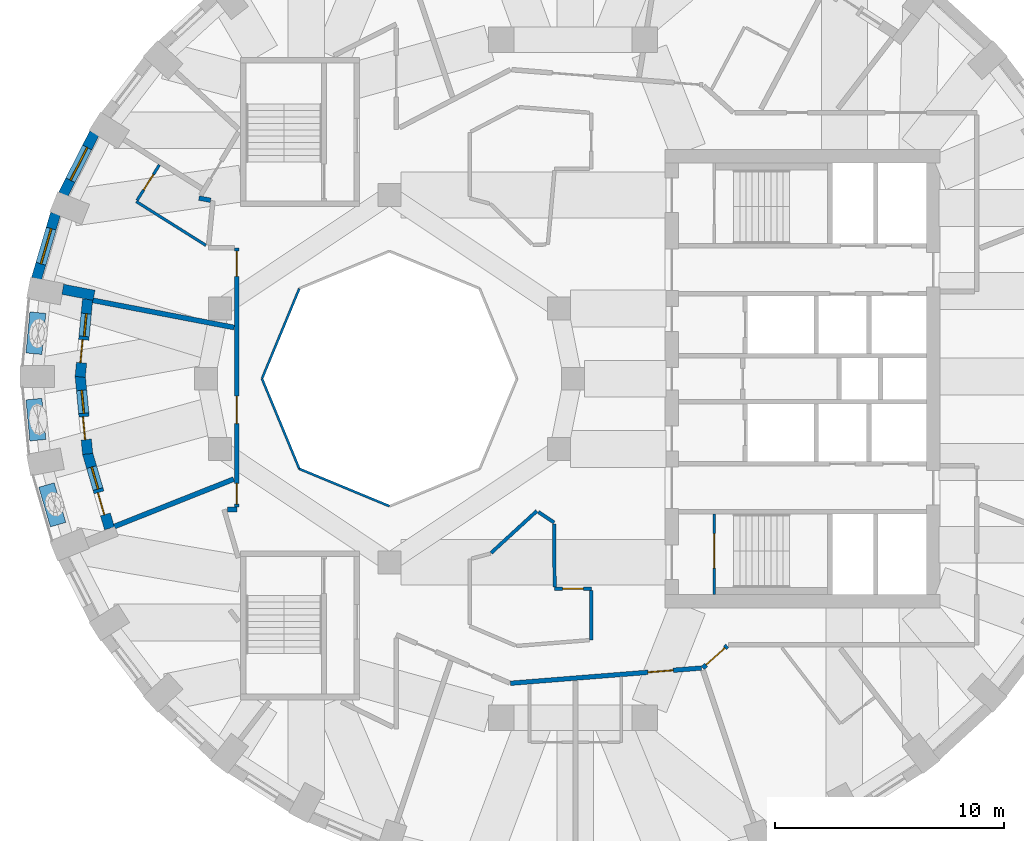
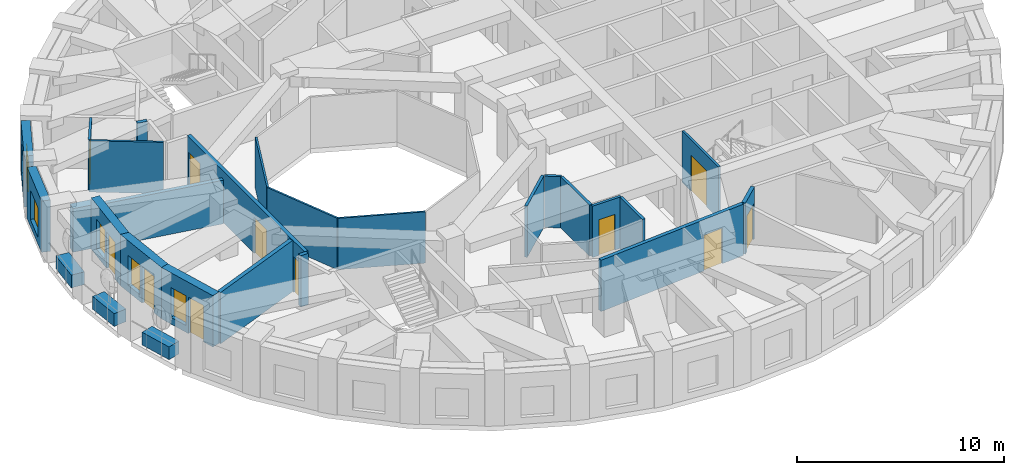
# One storey, part 4 of 12: 27 walls, 11 doors, 5 windows, 16 openings.
"""IFC4 building model written with IfcOpenShell, lengths in metres."""

from ifc_helpers import new_model, si_unit, direction, frame, frame_2d, origin, place, context, subcontext, project, spatial, rectangle, extrude, material, layer, layer_set, constituent, constituent_set, type_object, element, fill, save


model = new_model("IFC4")

# Units and contexts
model_context = context("Model", 3, precision=1e-05, world=origin(), true_north=direction((0.0, 1.0)))
body_context = subcontext(model_context, "Body", "Model", "MODEL_VIEW")
ifc_project = project(units=[si_unit("LENGTHUNIT", "METRE"), si_unit("AREAUNIT", "SQUARE_METRE"), si_unit("VOLUMEUNIT", "CUBIC_METRE"), si_unit("PLANEANGLEUNIT", "RADIAN"), si_unit("MASSUNIT", "GRAM", prefix="KILO")], contexts=[model_context])

# Site, building, storey
site_placement = place(None, origin())
site = spatial("IfcSite", under=ifc_project, at=site_placement, CompositionType="ELEMENT")
building_placement = place(site_placement, origin())
building = spatial("IfcBuilding", under=site, at=building_placement, Name="Taillehof Tower", CompositionType="ELEMENT")
storey_placement = place(building_placement, frame((0.0, 0.0, 148.39990234375)))
storey = spatial("IfcBuildingStorey", under=building, at=storey_placement, Name="L41", CompositionType="ELEMENT", Elevation=148.39990234375)

# Walls
ifc_material_1 = material(Name="Fire-resisting glass in steel frame", Category="steel")
ifc_layer_1 = layer(ifc_material_1, 0.10009765625)
ifc_layer_set_1 = layer_set([ifc_layer_1], Name="Atrium fire-resisting screen EI 60 100")
wall_type_1 = type_object("IfcWallType", Name="Atrium fire-resisting screen EI 60 100", PredefinedType="PARTITIONING", material=ifc_layer_set_1)
for number, where, z_axis, x_axis, name in (
    (1, (-8.0, -5.55419921875, 0.0), (0.0, 0.0, 1.0), (-0.923860025149, 0.382730523909, 0.0), "Atrium screen"),
    (2, (-11.92724609375, -3.92724609375, 0.0), (0.0, 0.0, 1.0), (-0.382730523909, 0.923860025149, 0.0), "Atrium screen"),
    (3, (-13.55419921875, 0.0, 0.0), (0.0, 0.0, 1.0), (0.382730523909, 0.923860025149, 0.0), "Atrium screen"),
):
    element("IfcWall", number, at=place(storey_placement, frame(where, z_axis=z_axis, x_axis=x_axis)), inside=storey, type_object=wall_type_1, Name=name, PredefinedType="PARTITIONING", context=body_context, shape_type="SweptSolid", body=[
        extrude(rectangle(XDim=4.2509765625, YDim=0.10009765625, at=frame_2d((2.12548828125, 0.0))), origin(), (0.0, 0.0, 1.0), 3.02001953125),
    ])

# Wall, opening, window
ifc_material_2 = material(Name="Brick masonry", Category="masonry")
ifc_layer_2 = layer(ifc_material_2, 0.449951171875)
ifc_layer_set_2 = layer_set([ifc_layer_2], Name="Brick infill wall 450")
wall_type_2 = type_object("IfcWallType", Name="Brick infill wall 450", PredefinedType="SOLIDWALL", material=ifc_layer_set_2)
wall_1_placement = place(storey_placement, frame((-20.859375, 10.697021484375, 0.0), z_axis=(0.0, 0.0, 1.0), x_axis=(-0.454133999889, -0.890933392653, 0.0)))
wall_1 = element("IfcWall", 4, at=wall_1_placement, inside=storey, type_object=wall_type_2, Name="Brick wall L41 bay 16", PredefinedType="SOLIDWALL", context=body_context, shape_type="SweptSolid", body=[
    extrude(rectangle(XDim=2.98583984375, YDim=0.449951171875, at=frame_2d((1.492919921875, 0.0))), origin(), (0.0, 0.0, 1.0), 3.02001953125),
])
opening_1_placement = place(wall_1_placement, frame((0.69287109375, 0.0, 0.39990234375)))
opening_1 = element("IfcOpeningElement", 5, at=opening_1_placement, cuts=wall_1, Name="Opening W3", PredefinedType="OPENING", context=body_context, shape_type="SweptSolid", body=[
    extrude(rectangle(XDim=1.60009765625, YDim=1.75, at=frame_2d((0.800048828125, 0.875))), frame((0.0, 0.23486328125, 0.0), z_axis=(0.0, -1.0, 0.0), x_axis=(1.0, 0.0, 0.0)), (0.0, 0.0, 1.0), 0.469970703125),
])
ifc_material_3 = material(Name="Aluminium window frame with clear double glazing", Category="aluminium")
window_type_1 = type_object("IfcWindowType", Name="Deep-set window 1600x1750", PartitioningType="SINGLE_PANEL", PredefinedType="WINDOW", material=ifc_material_3)
window_1_placement = place(opening_1_placement, origin())
window_1 = element("IfcWindow", 6, at=window_1_placement, inside=storey, type_object=window_type_1, Name="W3", OverallHeight=1.75, OverallWidth=1.60009765625, PartitioningType="SINGLE_PANEL", PredefinedType="WINDOW", context=body_context, shape_type="SweptSolid", body=[
    extrude(rectangle(XDim=1.60009765625, YDim=1.75, at=frame_2d((0.800048828125, 0.875))), frame((0.0, 0.034912109375, 0.0), z_axis=(0.0, -1.0, 0.0), x_axis=(1.0, 0.0, 0.0)), (0.0, 0.0, 1.0), 0.06005859375),
])
fill(opening_1, window_1)

wall_2_placement = place(storey_placement, frame((-22.55126953125, 7.19091796875, 0.0), z_axis=(0.0, 0.0, 1.0), x_axis=(-0.281125768296, -0.959670934435, 0.0)))
wall_2 = element("IfcWall", 7, at=wall_2_placement, inside=storey, type_object=wall_type_2, Name="Brick wall L41 bay 17", PredefinedType="SOLIDWALL", context=body_context, shape_type="SweptSolid", body=[
    extrude(rectangle(XDim=2.947509765625, YDim=0.449951171875, at=frame_2d((1.4736328125, 0.0))), origin(), (0.0, 0.0, 1.0), 3.02001953125),
])
opening_2_placement = place(wall_2_placement, frame((0.673583984375, 0.0, 0.39990234375)))
opening_2 = element("IfcOpeningElement", 8, at=opening_2_placement, cuts=wall_2, Name="Opening W3", PredefinedType="OPENING", context=body_context, shape_type="SweptSolid", body=[
    extrude(rectangle(XDim=1.60009765625, YDim=1.75, at=frame_2d((0.800048828125, 0.875))), frame((0.0, 0.23486328125, 0.0), z_axis=(0.0, -1.0, 0.0), x_axis=(1.0, 0.0, 0.0)), (0.0, 0.0, 1.0), 0.469970703125),
])
window_2_placement = place(opening_2_placement, origin())
window_2 = element("IfcWindow", 9, at=window_2_placement, inside=storey, type_object=window_type_1, Name="W3", OverallHeight=1.75, OverallWidth=1.60009765625, PartitioningType="SINGLE_PANEL", PredefinedType="WINDOW", context=body_context, shape_type="SweptSolid", body=[
    extrude(rectangle(XDim=1.60009765625, YDim=1.75, at=frame_2d((0.800048828125, 0.875))), frame((0.0, 0.034912109375, 0.0), z_axis=(0.0, -1.0, 0.0), x_axis=(1.0, 0.0, 0.0)), (0.0, 0.0, 1.0), 0.06005859375),
])
fill(opening_2, window_2)

# Wall
wall_3_placement = place(storey_placement, frame((-22.236572265625, 3.896484375, 0.0), z_axis=(0.0, 0.0, 1.0), x_axis=(0.98204526411, -0.188645432598, 0.0)))
element("IfcWall", 10, at=wall_3_placement, inside=storey, type_object=wall_type_2, Name="Brick reveal L41 pocket 5", PredefinedType="SOLIDWALL", context=body_context, shape_type="SweptSolid", body=[
    extrude(rectangle(XDim=1.389892578125, YDim=0.449951171875, at=frame_2d((0.69482421875, 0.0))), origin(), (0.0, 0.0, 1.0), 2.570068359375),
])

# Wall, openings, door, window
wall_4_placement = place(storey_placement, frame((-21.153564453125, 3.459228515625, 0.0), z_axis=(0.0, 0.0, 1.0), x_axis=(-0.094968544931, -0.995480273774, 0.0)))
wall_4 = element("IfcWall", 11, at=wall_4_placement, inside=storey, type_object=wall_type_2, Name="Brick wall L41 pocket bay 18", PredefinedType="SOLIDWALL", context=body_context, shape_type="SweptSolid", body=[
    extrude(rectangle(XDim=3.39599609375, YDim=0.449951171875, at=frame_2d((1.697998046875, 0.0))), origin(), (0.0, 0.0, 1.0), 3.02001953125),
])
opening_3_placement = place(wall_4_placement, frame((0.623046875, 0.0, 0.39990234375)))
opening_3 = element("IfcOpeningElement", 12, at=opening_3_placement, cuts=wall_4, Name="Opening W5", PredefinedType="OPENING", context=body_context, shape_type="SweptSolid", body=[
    extrude(rectangle(XDim=1.0, YDim=1.75, at=frame_2d((0.5, 0.875))), frame((0.0, 0.23486328125, 0.0), z_axis=(0.0, -1.0, 0.0), x_axis=(1.0, 0.0, 0.0)), (0.0, 0.0, 1.0), 0.469970703125),
])
opening_4_placement = place(wall_4_placement, frame((1.77294921875, 0.0, 0.0)))
opening_4 = element("IfcOpeningElement", 13, at=opening_4_placement, cuts=wall_4, Name="Opening D4191", PredefinedType="OPENING", context=body_context, shape_type="SweptSolid", body=[
    extrude(rectangle(XDim=1.0, YDim=2.14990234375, at=frame_2d((0.5, 1.074951171875))), frame((0.0, 0.23486328125, 0.0), z_axis=(0.0, -1.0, 0.0), x_axis=(1.0, 0.0, 0.0)), (0.0, 0.0, 1.0), 0.469970703125),
])
ifc_material_4 = material(Name="Aluminium door frame with clear double glazing", Category="aluminium")
door_type_1 = type_object("IfcDoorType", Name="Balcony door 1000x2150", OperationType="SINGLE_SWING_RIGHT", PredefinedType="DOOR", material=ifc_material_4)
door_1_placement = place(opening_4_placement, frame((1.0, 0.0, 0.0), z_axis=(0.0, 0.0, 1.0), x_axis=(-1.0, 0.0, 0.0)))
door_1 = element("IfcDoor", 14, at=door_1_placement, inside=storey, type_object=door_type_1, Name="Balcony door L41 bay 18", OperationType="SINGLE_SWING_RIGHT", OverallHeight=2.14990234375, OverallWidth=1.0, PredefinedType="DOOR", context=body_context, shape_type="SweptSolid", body=[
    extrude(rectangle(XDim=1.0, YDim=2.14990234375, at=frame_2d((0.5, 1.074951171875))), frame((0.0, 0.0751953125, 0.0), z_axis=(0.0, -1.0, 0.0), x_axis=(1.0, 0.0, 0.0)), (0.0, 0.0, 1.0), 0.050048828125),
])
fill(opening_4, door_1)
ifc_material_5 = material(Name="Aluminium window frame with clear double glazing", Category="aluminium")
window_type_2 = type_object("IfcWindowType", Name="Fixed window 1000x1750", PartitioningType="SINGLE_PANEL", PredefinedType="WINDOW", material=ifc_material_5)
window_3_placement = place(opening_3_placement, origin())
window_3 = element("IfcWindow", 15, at=window_3_placement, inside=storey, type_object=window_type_2, Name="W5", OverallHeight=1.75, OverallWidth=1.0, PartitioningType="SINGLE_PANEL", PredefinedType="WINDOW", context=body_context, shape_type="SweptSolid", body=[
    extrude(rectangle(XDim=1.0, YDim=1.75, at=frame_2d((0.5, 0.875))), frame((0.0, 0.034912109375, 0.0), z_axis=(0.0, -1.0, 0.0), x_axis=(1.0, 0.0, 0.0)), (0.0, 0.0, 1.0), 0.06005859375),
])
fill(opening_3, window_3)

wall_5_placement = place(storey_placement, frame((-21.47607421875, 0.121337890625, 0.0), z_axis=(0.0, 0.0, 1.0), x_axis=(0.094947321258, -0.995482298279, 0.0)))
wall_5 = element("IfcWall", 16, at=wall_5_placement, inside=storey, type_object=wall_type_2, Name="Brick wall L41 pocket bay 19", PredefinedType="SOLIDWALL", context=body_context, shape_type="SweptSolid", body=[
    extrude(rectangle(XDim=3.417236328125, YDim=0.449951171875, at=frame_2d((1.70849609375, 0.0))), origin(), (0.0, 0.0, 1.0), 3.02001953125),
])
opening_5_placement = place(wall_5_placement, frame((0.6337890625, 0.0, 0.39990234375)))
opening_5 = element("IfcOpeningElement", 17, at=opening_5_placement, cuts=wall_5, Name="Opening W5", PredefinedType="OPENING", context=body_context, shape_type="SweptSolid", body=[
    extrude(rectangle(XDim=1.0, YDim=1.75, at=frame_2d((0.5, 0.875))), frame((0.0, 0.23486328125, 0.0), z_axis=(0.0, -1.0, 0.0), x_axis=(1.0, 0.0, 0.0)), (0.0, 0.0, 1.0), 0.469970703125),
])
opening_6_placement = place(wall_5_placement, frame((1.78369140625, 0.0, 0.0)))
opening_6 = element("IfcOpeningElement", 18, at=opening_6_placement, cuts=wall_5, Name="Opening D4192", PredefinedType="OPENING", context=body_context, shape_type="SweptSolid", body=[
    extrude(rectangle(XDim=1.0, YDim=2.14990234375, at=frame_2d((0.5, 1.074951171875))), frame((0.0, 0.23486328125, 0.0), z_axis=(0.0, -1.0, 0.0), x_axis=(1.0, 0.0, 0.0)), (0.0, 0.0, 1.0), 0.469970703125),
])
door_2_placement = place(opening_6_placement, frame((1.0, 0.0, 0.0), z_axis=(0.0, 0.0, 1.0), x_axis=(-1.0, 0.0, 0.0)))
door_2 = element("IfcDoor", 19, at=door_2_placement, inside=storey, type_object=door_type_1, Name="Balcony door L41 bay 19", OperationType="SINGLE_SWING_LEFT", OverallHeight=2.14990234375, OverallWidth=1.0, PredefinedType="DOOR", context=body_context, shape_type="SweptSolid", body=[
    extrude(rectangle(XDim=1.0, YDim=2.14990234375, at=frame_2d((0.5, 1.074951171875))), frame((0.0, 0.0751953125, 0.0), z_axis=(0.0, -1.0, 0.0), x_axis=(1.0, 0.0, 0.0)), (0.0, 0.0, 1.0), 0.050048828125),
])
fill(opening_6, door_2)
window_4_placement = place(opening_5_placement, origin())
window_4 = element("IfcWindow", 20, at=window_4_placement, inside=storey, type_object=window_type_2, Name="W5", OverallHeight=1.75, OverallWidth=1.0, PartitioningType="SINGLE_PANEL", PredefinedType="WINDOW", context=body_context, shape_type="SweptSolid", body=[
    extrude(rectangle(XDim=1.0, YDim=1.75, at=frame_2d((0.5, 0.875))), frame((0.0, 0.034912109375, 0.0), z_axis=(0.0, -1.0, 0.0), x_axis=(1.0, 0.0, 0.0)), (0.0, 0.0, 1.0), 0.06005859375),
])
fill(opening_5, window_4)

wall_6_placement = place(storey_placement, frame((-21.159423828125, -3.23876953125, 0.0), z_axis=(0.0, 0.0, 1.0), x_axis=(0.280377942886, -0.959889685924, 0.0)))
wall_6 = element("IfcWall", 21, at=wall_6_placement, inside=storey, type_object=wall_type_2, Name="Brick wall L41 pocket bay 20", PredefinedType="SOLIDWALL", context=body_context, shape_type="SweptSolid", body=[
    extrude(rectangle(XDim=3.4228515625, YDim=0.449951171875, at=frame_2d((1.71142578125, 0.0))), origin(), (0.0, 0.0, 1.0), 3.02001953125),
])
opening_7_placement = place(wall_6_placement, frame((0.636474609375, 0.0, 0.39990234375)))
opening_7 = element("IfcOpeningElement", 22, at=opening_7_placement, cuts=wall_6, Name="Opening W5", PredefinedType="OPENING", context=body_context, shape_type="SweptSolid", body=[
    extrude(rectangle(XDim=1.0, YDim=1.75, at=frame_2d((0.5, 0.875))), frame((0.0, 0.23486328125, 0.0), z_axis=(0.0, -1.0, 0.0), x_axis=(1.0, 0.0, 0.0)), (0.0, 0.0, 1.0), 0.469970703125),
])
opening_8_placement = place(wall_6_placement, frame((1.786376953125, 0.0, 0.0)))
opening_8 = element("IfcOpeningElement", 23, at=opening_8_placement, cuts=wall_6, Name="Opening D4193", PredefinedType="OPENING", context=body_context, shape_type="SweptSolid", body=[
    extrude(rectangle(XDim=1.0, YDim=2.14990234375, at=frame_2d((0.5, 1.074951171875))), frame((0.0, 0.23486328125, 0.0), z_axis=(0.0, -1.0, 0.0), x_axis=(1.0, 0.0, 0.0)), (0.0, 0.0, 1.0), 0.469970703125),
])
door_3_placement = place(opening_8_placement, frame((1.0, 0.0, 0.0), z_axis=(0.0, 0.0, 1.0), x_axis=(-1.0, 0.0, 0.0)))
door_3 = element("IfcDoor", 24, at=door_3_placement, inside=storey, type_object=door_type_1, Name="Balcony door L41 bay 20", OperationType="SINGLE_SWING_LEFT", OverallHeight=2.14990234375, OverallWidth=1.0, PredefinedType="DOOR", context=body_context, shape_type="SweptSolid", body=[
    extrude(rectangle(XDim=1.0, YDim=2.14990234375, at=frame_2d((0.5, 1.074951171875))), frame((0.0, 0.0751953125, 0.0), z_axis=(0.0, -1.0, 0.0), x_axis=(1.0, 0.0, 0.0)), (0.0, 0.0, 1.0), 0.050048828125),
])
fill(opening_8, door_3)
window_5_placement = place(opening_7_placement, origin())
window_5 = element("IfcWindow", 25, at=window_5_placement, inside=storey, type_object=window_type_2, Name="W5", OverallHeight=1.75, OverallWidth=1.0, PartitioningType="SINGLE_PANEL", PredefinedType="WINDOW", context=body_context, shape_type="SweptSolid", body=[
    extrude(rectangle(XDim=1.0, YDim=1.75, at=frame_2d((0.5, 0.875))), frame((0.0, 0.034912109375, 0.0), z_axis=(0.0, -1.0, 0.0), x_axis=(1.0, 0.0, 0.0)), (0.0, 0.0, 1.0), 0.06005859375),
])
fill(opening_7, window_5)

# Wall, opening, door
ifc_material_6 = material(Name="Gypsum board on steel studs, two layers each side", Category="steel")
ifc_layer_3 = layer(ifc_material_6, 0.199951171875)
ifc_layer_set_3 = layer_set([ifc_layer_3], Name="Compartment wall corridor 200")
wall_type_3 = type_object("IfcWallType", Name="Compartment wall corridor 200", PredefinedType="PARTITIONING", material=ifc_layer_set_3)
wall_7_placement = place(storey_placement, frame((6.722900390625, -11.640380859375, 0.0), z_axis=(0.0, 0.0, 1.0), x_axis=(-0.743032656565, -0.669255161562, 0.0)))
wall_7 = element("IfcWall", 26, at=wall_7_placement, inside=storey, type_object=wall_type_3, Name="Compartment wall", PredefinedType="PARTITIONING", context=body_context, shape_type="SweptSolid", body=[
    extrude(rectangle(XDim=1.439453125, YDim=0.199951171875, at=frame_2d((0.7197265625, 0.0))), origin(), (0.0, 0.0, 1.0), 3.02001953125),
])
opening_9_placement = place(wall_7_placement, frame((0.139892578125, 0.0, 0.0)))
opening_9 = element("IfcOpeningElement", 27, at=opening_9_placement, cuts=wall_7, Name="Opening D4155", PredefinedType="OPENING", context=body_context, shape_type="SweptSolid", body=[
    extrude(rectangle(XDim=1.10009765625, YDim=2.10009765625, at=frame_2d((0.550048828125, 1.050048828125))), frame((0.0, 0.10986328125, 0.0), z_axis=(0.0, -1.0, 0.0), x_axis=(1.0, 0.0, 0.0)), (0.0, 0.0, 1.0), 0.219970703125),
])
ifc_material_7 = material(Name="Timber door leaf in steel frame", Category="steel")
door_type_2 = type_object("IfcDoorType", Name="Suite entrance door EI 30 1100 x 2100", OperationType="SINGLE_SWING_LEFT", PredefinedType="DOOR", material=ifc_material_7)
door_4_placement = place(opening_9_placement, origin())
door_4 = element("IfcDoor", 28, at=door_4_placement, inside=storey, type_object=door_type_2, Name="D4155", OperationType="SINGLE_SWING_RIGHT", OverallHeight=2.10009765625, OverallWidth=1.10009765625, PredefinedType="DOOR", context=body_context, shape_type="SweptSolid", body=[
    extrude(rectangle(XDim=1.10009765625, YDim=2.10009765625, at=frame_2d((0.550048828125, 1.050048828125))), frame((0.0, 0.02490234375, 0.0), z_axis=(0.0, -1.0, 0.0), x_axis=(1.0, 0.0, 0.0)), (0.0, 0.0, 1.0), 0.050048828125),
])
fill(opening_9, door_4)

wall_8_placement = place(storey_placement, frame((5.59326171875, -12.60888671875, 0.0), z_axis=(0.0, 0.0, 1.0), x_axis=(-0.99682930336, -0.079569717626, 0.0)))
wall_8 = element("IfcWall", 29, at=wall_8_placement, inside=storey, type_object=wall_type_3, Name="Compartment wall", PredefinedType="PARTITIONING", context=body_context, shape_type="SweptSolid", body=[
    extrude(rectangle(XDim=8.3486328125, YDim=0.199951171875, at=frame_2d((4.17431640625, 0.0))), origin(), (0.0, 0.0, 1.0), 3.02001953125),
])
opening_10_placement = place(wall_8_placement, frame((1.232177734375, 0.0, 0.0)))
opening_10 = element("IfcOpeningElement", 30, at=opening_10_placement, cuts=wall_8, Name="Opening D4153", PredefinedType="OPENING", context=body_context, shape_type="SweptSolid", body=[
    extrude(rectangle(XDim=1.10009765625, YDim=2.10009765625, at=frame_2d((0.550048828125, 1.050048828125))), frame((0.0, 0.10986328125, 0.0), z_axis=(0.0, -1.0, 0.0), x_axis=(1.0, 0.0, 0.0)), (0.0, 0.0, 1.0), 0.219970703125),
])
door_5_placement = place(opening_10_placement, origin())
door_5 = element("IfcDoor", 31, at=door_5_placement, inside=storey, type_object=door_type_2, Name="D4153", OperationType="SINGLE_SWING_RIGHT", OverallHeight=2.10009765625, OverallWidth=1.10009765625, PredefinedType="DOOR", context=body_context, shape_type="SweptSolid", body=[
    extrude(rectangle(XDim=1.10009765625, YDim=2.10009765625, at=frame_2d((0.550048828125, 1.050048828125))), frame((0.0, 0.02490234375, 0.0), z_axis=(0.0, -1.0, 0.0), x_axis=(1.0, 0.0, 0.0)), (0.0, 0.0, 1.0), 0.050048828125),
])
fill(opening_10, door_5)

# Wall
wall_9_placement = place(storey_placement, frame((-15.0654296875, -5.699951171875, 0.0), z_axis=(0.0, 0.0, 1.0), x_axis=(1.0, 0.0, 0.0)))
element("IfcWall", 32, at=wall_9_placement, inside=storey, type_object=wall_type_3, Name="Compartment wall", PredefinedType="PARTITIONING", context=body_context, shape_type="SweptSolid", body=[
    extrude(rectangle(XDim=0.418701171875, YDim=0.199951171875, at=frame_2d((0.20947265625, 0.0))), origin(), (0.0, 0.0, 1.0), 3.02001953125),
])

# Wall, openings, doors
wall_10_placement = place(storey_placement, frame((-14.646728515625, -5.599853515625, 0.0), z_axis=(0.0, 0.0, 1.0), x_axis=(0.0, 1.0, 0.0)))
wall_10 = element("IfcWall", 33, at=wall_10_placement, inside=storey, type_object=wall_type_3, Name="Compartment wall", PredefinedType="PARTITIONING", context=body_context, shape_type="SweptSolid", body=[
    extrude(rectangle(XDim=11.2998046875, YDim=0.199951171875, at=frame_2d((5.64990234375, 0.0))), origin(), (0.0, 0.0, 1.0), 3.02001953125),
])
opening_11_placement = place(wall_10_placement, frame((10.059814453125, 0.0, 0.0)))
opening_11 = element("IfcOpeningElement", 34, at=opening_11_placement, cuts=wall_10, Name="Opening D4146", PredefinedType="OPENING", context=body_context, shape_type="SweptSolid", body=[
    extrude(rectangle(XDim=1.10009765625, YDim=2.10009765625, at=frame_2d((0.550048828125, 1.050048828125))), frame((0.0, 0.10986328125, 0.0), z_axis=(0.0, -1.0, 0.0), x_axis=(1.0, 0.0, 0.0)), (0.0, 0.0, 1.0), 0.219970703125),
])
opening_12_placement = place(wall_10_placement, frame((3.638916015625, 0.0, 0.0)))
opening_12 = element("IfcOpeningElement", 35, at=opening_12_placement, cuts=wall_10, Name="Opening D4148", PredefinedType="OPENING", context=body_context, shape_type="SweptSolid", body=[
    extrude(rectangle(XDim=1.199951171875, YDim=2.10009765625, at=frame_2d((0.60009765625, 1.050048828125))), frame((0.0, 0.10986328125, 0.0), z_axis=(0.0, -1.0, 0.0), x_axis=(1.0, 0.0, 0.0)), (0.0, 0.0, 1.0), 0.219970703125),
])
opening_13_placement = place(wall_10_placement, frame((0.139892578125, 0.0, 0.0)))
opening_13 = element("IfcOpeningElement", 36, at=opening_13_placement, cuts=wall_10, Name="Opening D4149", PredefinedType="OPENING", context=body_context, shape_type="SweptSolid", body=[
    extrude(rectangle(XDim=0.89990234375, YDim=2.10009765625, at=frame_2d((0.449951171875, 1.050048828125))), frame((0.0, 0.10986328125, 0.0), z_axis=(0.0, -1.0, 0.0), x_axis=(1.0, 0.0, 0.0)), (0.0, 0.0, 1.0), 0.219970703125),
])
ifc_material_8 = material(Name="Timber door leaf in steel frame", Category="steel")
door_type_3 = type_object("IfcDoorType", Name="Service room door EI 30 900 x 2100", OperationType="SINGLE_SWING_LEFT", PredefinedType="DOOR", material=ifc_material_8)
door_6_placement = place(opening_13_placement, origin())
door_6 = element("IfcDoor", 37, at=door_6_placement, inside=storey, type_object=door_type_3, Name="D4149", OperationType="SINGLE_SWING_LEFT", OverallHeight=2.10009765625, OverallWidth=0.89990234375, PredefinedType="DOOR", context=body_context, shape_type="SweptSolid", body=[
    extrude(rectangle(XDim=0.89990234375, YDim=2.10009765625, at=frame_2d((0.449951171875, 1.050048828125))), frame((0.0, 0.02490234375, 0.0), z_axis=(0.0, -1.0, 0.0), x_axis=(1.0, 0.0, 0.0)), (0.0, 0.0, 1.0), 0.050048828125),
])
fill(opening_13, door_6)
door_7_placement = place(opening_11_placement, origin())
door_7 = element("IfcDoor", 38, at=door_7_placement, inside=storey, type_object=door_type_2, Name="D4146", OperationType="SINGLE_SWING_RIGHT", OverallHeight=2.10009765625, OverallWidth=1.10009765625, PredefinedType="DOOR", context=body_context, shape_type="SweptSolid", body=[
    extrude(rectangle(XDim=1.10009765625, YDim=2.10009765625, at=frame_2d((0.550048828125, 1.050048828125))), frame((0.0, 0.02490234375, 0.0), z_axis=(0.0, -1.0, 0.0), x_axis=(1.0, 0.0, 0.0)), (0.0, 0.0, 1.0), 0.050048828125),
])
fill(opening_11, door_7)
ifc_material_9 = material(Name="Timber door leaf in steel frame", Category="steel")
door_type_4 = type_object("IfcDoorType", Name="Suite entrance door EI 30 1200 x 2100", OperationType="SINGLE_SWING_LEFT", PredefinedType="DOOR", material=ifc_material_9)
door_8_placement = place(opening_12_placement, origin())
door_8 = element("IfcDoor", 39, at=door_8_placement, inside=storey, type_object=door_type_4, Name="D4148", OperationType="SINGLE_SWING_LEFT", OverallHeight=2.10009765625, OverallWidth=1.199951171875, PredefinedType="DOOR", context=body_context, shape_type="SweptSolid", body=[
    extrude(rectangle(XDim=1.199951171875, YDim=2.10009765625, at=frame_2d((0.60009765625, 1.050048828125))), frame((0.0, 0.02490234375, 0.0), z_axis=(0.0, -1.0, 0.0), x_axis=(1.0, 0.0, 0.0)), (0.0, 0.0, 1.0), 0.050048828125),
])
fill(opening_12, door_8)

# Walls
wall_11_placement = place(storey_placement, frame((-15.79345703125, 7.774658203125, 0.0), z_axis=(0.0, 0.0, 1.0), x_axis=(-0.981833914825, 0.189742361371, 0.0)))
element("IfcWall", 40, at=wall_11_placement, inside=storey, type_object=wall_type_3, Name="Compartment wall", PredefinedType="PARTITIONING", context=body_context, shape_type="SweptSolid", body=[
    extrude(rectangle(XDim=0.515869140625, YDim=0.199951171875, at=frame_2d((0.2578125, 0.0))), origin(), (0.0, 0.0, 1.0), 3.02001953125),
])
ifc_material_10 = material(Name="Gypsum board on double steel studs with mineral wool", Category="steel")
ifc_layer_4 = layer(ifc_material_10, 0.219970703125)
ifc_layer_set_4 = layer_set([ifc_layer_4], Name="Compartment wall guest room 220")
wall_type_4 = type_object("IfcWallType", Name="Compartment wall guest room 220", PredefinedType="PARTITIONING", material=ifc_layer_set_4)
wall_12_placement = place(storey_placement, frame((-20.931640625, 3.416748046875, 0.0), z_axis=(0.0, 0.0, 1.0), x_axis=(0.982023362662, -0.188759410856, 0.0)))
element("IfcWall", 41, at=wall_12_placement, inside=storey, type_object=wall_type_4, Name="Compartment wall", PredefinedType="PARTITIONING", context=body_context, shape_type="SweptSolid", body=[
    extrude(rectangle(XDim=6.278076171875, YDim=0.219970703125, at=frame_2d((3.13916015625, 0.0))), origin(), (0.0, 0.0, 1.0), 2.570068359375),
])
wall_13_placement = place(storey_placement, frame((-19.989501953125, -6.441162109375, 0.0), z_axis=(0.0, 0.0, 1.0), x_axis=(0.929507316491, 0.368803672147, 0.0)))
element("IfcWall", 42, at=wall_13_placement, inside=storey, type_object=wall_type_4, Name="Compartment wall", PredefinedType="PARTITIONING", context=body_context, shape_type="SweptSolid", body=[
    extrude(rectangle(XDim=5.600341796875, YDim=0.219970703125, at=frame_2d((2.80029296875, 0.0))), origin(), (0.0, 0.0, 1.0), 3.02001953125),
])

# Wall, opening, door
ifc_material_11 = material(Name="Gypsum board on steel studs, two layers each side", Category="steel")
ifc_layer_5 = layer(ifc_material_11, 0.14990234375)
ifc_layer_set_5 = layer_set([ifc_layer_5], Name="Compartment wall service room 150")
wall_type_5 = type_object("IfcWallType", Name="Compartment wall service room 150", PredefinedType="PARTITIONING", material=ifc_layer_set_5)
wall_14_placement = place(storey_placement, frame((-0.800048828125, -9.14990234375, 0.0), z_axis=(0.0, 0.0, 1.0), x_axis=(1.0, 0.0, 0.0)))
wall_14 = element("IfcWall", 43, at=wall_14_placement, inside=storey, type_object=wall_type_5, Name="Compartment wall", PredefinedType="PARTITIONING", context=body_context, shape_type="SweptSolid", body=[
    extrude(rectangle(XDim=1.60009765625, YDim=0.14990234375, at=frame_2d((0.800048828125, 0.0))), origin(), (0.0, 0.0, 1.0), 3.02001953125),
])
opening_14_placement = place(wall_14_placement, frame((0.35009765625, 0.0, 0.0)))
opening_14 = element("IfcOpeningElement", 44, at=opening_14_placement, cuts=wall_14, Name="Opening D4161", PredefinedType="OPENING", context=body_context, shape_type="SweptSolid", body=[
    extrude(rectangle(XDim=0.89990234375, YDim=2.10009765625, at=frame_2d((0.449951171875, 1.050048828125))), frame((0.0, 0.0849609375, 0.0), z_axis=(0.0, -1.0, 0.0), x_axis=(1.0, 0.0, 0.0)), (0.0, 0.0, 1.0), 0.169921875),
])
door_9_placement = place(opening_14_placement, origin())
door_9 = element("IfcDoor", 45, at=door_9_placement, inside=storey, type_object=door_type_3, Name="D4161", OperationType="SINGLE_SWING_LEFT", OverallHeight=2.10009765625, OverallWidth=0.89990234375, PredefinedType="DOOR", context=body_context, shape_type="SweptSolid", body=[
    extrude(rectangle(XDim=0.89990234375, YDim=2.10009765625, at=frame_2d((0.449951171875, 1.050048828125))), frame((0.0, 0.02490234375, 0.0), z_axis=(0.0, -1.0, 0.0), x_axis=(1.0, 0.0, 0.0)), (0.0, 0.0, 1.0), 0.050048828125),
])
fill(opening_14, door_9)

# Walls
wall_15_placement = place(storey_placement, frame((0.800048828125, -9.22998046875, 0.0), z_axis=(0.0, 0.0, 1.0), x_axis=(0.0, -1.0, 0.0)))
element("IfcWall", 46, at=wall_15_placement, inside=storey, type_object=wall_type_5, Name="Compartment wall", PredefinedType="PARTITIONING", context=body_context, shape_type="SweptSolid", body=[
    extrude(rectangle(XDim=2.15625, YDim=0.14990234375, at=frame_2d((1.078125, 0.0))), origin(), (0.0, 0.0, 1.0), 3.02001953125),
])
wall_16_placement = place(storey_placement, frame((-3.57080078125, -7.593994140625, 0.0), z_axis=(0.0, 0.0, 1.0), x_axis=(0.736783660812, 0.676128565555, 0.0)))
element("IfcWall", 47, at=wall_16_placement, inside=storey, type_object=wall_type_5, Name="Compartment wall", PredefinedType="PARTITIONING", context=body_context, shape_type="SweptSolid", body=[
    extrude(rectangle(XDim=2.708984375, YDim=0.14990234375, at=frame_2d((1.3544921875, 0.0))), origin(), (0.0, 0.0, 1.0), 3.02001953125),
])
wall_17_placement = place(storey_placement, frame((-1.508544921875, -5.806396484375, 0.0), z_axis=(0.0, 0.0, 1.0), x_axis=(0.831367153095, -0.55572354346, 0.0)))
element("IfcWall", 48, at=wall_17_placement, inside=storey, type_object=wall_type_5, Name="Compartment wall", PredefinedType="PARTITIONING", context=body_context, shape_type="SweptSolid", body=[
    extrude(rectangle(XDim=0.825439453125, YDim=0.14990234375, at=frame_2d((0.41259765625, 0.0))), origin(), (0.0, 0.0, 1.0), 3.02001953125),
])
wall_18_placement = place(storey_placement, frame((-0.821533203125, -6.3251953125, 0.0), z_axis=(0.0, 0.0, 1.0), x_axis=(0.007471771501, -0.999972085926, 0.0)))
element("IfcWall", 49, at=wall_18_placement, inside=storey, type_object=wall_type_5, Name="Compartment wall", PredefinedType="PARTITIONING", context=body_context, shape_type="SweptSolid", body=[
    extrude(rectangle(XDim=2.74462890625, YDim=0.14990234375, at=frame_2d((1.372314453125, 0.0))), origin(), (0.0, 0.0, 1.0), 3.02001953125),
])
ifc_material_12 = material(Name="Gypsum board on steel studs, moisture resistant", Category="steel")
ifc_layer_6 = layer(ifc_material_12, 0.1201171875)
ifc_layer_set_6 = layer_set([ifc_layer_6], Name="En-suite wall 120")
wall_type_6 = type_object("IfcWallType", Name="En-suite wall 120", PredefinedType="PARTITIONING", material=ifc_layer_set_6)
wall_19_placement = place(storey_placement, frame((-15.99951171875, 5.81298828125, 0.0), z_axis=(0.0, 0.0, 1.0), x_axis=(-0.846339825068, 0.53264331452, 0.0)))
element("IfcWall", 50, at=wall_19_placement, inside=storey, type_object=wall_type_6, Name="En-suite wall", PredefinedType="PARTITIONING", context=body_context, shape_type="SweptSolid", body=[
    extrude(rectangle(XDim=3.58154296875, YDim=0.1201171875, at=frame_2d((1.790771484375, 0.0))), origin(), (0.0, 0.0, 1.0), 3.02001953125),
])

# Wall, opening, door
wall_20_placement = place(storey_placement, frame((-18.99853515625, 7.771240234375, 0.0), z_axis=(0.0, 0.0, 1.0), x_axis=(0.532431076319, 0.84647335987, 0.0)))
wall_20 = element("IfcWall", 51, at=wall_20_placement, inside=storey, type_object=wall_type_6, Name="En-suite wall", PredefinedType="PARTITIONING", context=body_context, shape_type="SweptSolid", body=[
    extrude(rectangle(XDim=1.830078125, YDim=0.1201171875, at=frame_2d((0.9150390625, 0.0))), origin(), (0.0, 0.0, 1.0), 3.02001953125),
])
opening_15_placement = place(wall_20_placement, frame((0.5400390625, 0.0, 0.0)))
opening_15 = element("IfcOpeningElement", 52, at=opening_15_placement, cuts=wall_20, Name="Opening D4147", PredefinedType="OPENING", context=body_context, shape_type="SweptSolid", body=[
    extrude(rectangle(XDim=0.800048828125, YDim=2.10009765625, at=frame_2d((0.39990234375, 1.050048828125))), frame((0.0, 0.070068359375, 0.0), z_axis=(0.0, -1.0, 0.0), x_axis=(1.0, 0.0, 0.0)), (0.0, 0.0, 1.0), 0.14013671875),
])
ifc_material_13 = material(Name="Timber door leaf in steel frame", Category="steel")
door_type_5 = type_object("IfcDoorType", Name="En-suite door 800 x 2100", OperationType="SINGLE_SWING_LEFT", PredefinedType="DOOR", material=ifc_material_13)
door_10_placement = place(opening_15_placement, origin())
door_10 = element("IfcDoor", 53, at=door_10_placement, inside=storey, type_object=door_type_5, Name="D4147", OperationType="SINGLE_SWING_RIGHT", OverallHeight=2.10009765625, OverallWidth=0.800048828125, PredefinedType="DOOR", context=body_context, shape_type="SweptSolid", body=[
    extrude(rectangle(XDim=0.800048828125, YDim=2.10009765625, at=frame_2d((0.39990234375, 1.050048828125))), frame((0.0, 0.02490234375, 0.0), z_axis=(0.0, -1.0, 0.0), x_axis=(1.0, 0.0, 0.0)), (0.0, 0.0, 1.0), 0.050048828125),
])
fill(opening_15, door_10)

# Walls
ifc_material_14 = material(Name="Concrete C30/37 precast", Category="concrete")
ifc_constituent_1 = constituent(ifc_material_14, Name="Structure", Category="concrete")
ifc_material_15 = material(Name="Insulated lining")
ifc_constituent_2 = constituent(ifc_material_15, Name="Lining")
ifc_constituent_set = constituent_set(constituents=[ifc_constituent_1, ifc_constituent_2], Name="Planter trough 700x750")
wall_type_7 = type_object("IfcWallType", Name="Planter trough 700x750", PredefinedType="USERDEFINED", material=ifc_constituent_set)
for number, where, z_axis, x_axis, name in (
    (54, (-23.32177734375, 2.880615234375, 0.0), (0.0, 0.0, 1.0), (-0.095205890594, -0.995457602511, 0.0), "Planter L41 bay 18"),
    (55, (-23.4931640625, -0.888671875, 0.0), (0.0, 0.0, 1.0), (0.095205890594, -0.995457602511, 0.0), "Planter L41 bay 19"),
    (56, (-22.945068359375, -4.632568359375, 0.0), (0.0, 0.0, 1.0), (0.28102063016, -0.959701727322, 0.0), "Planter L41 bay 20"),
):
    element("IfcWall", number, at=place(storey_placement, frame(where, z_axis=z_axis, x_axis=x_axis)), inside=storey, type_object=wall_type_7, Name=name, ObjectType="PLANTER", PredefinedType="USERDEFINED", context=body_context, shape_type="SweptSolid", body=[
        extrude(rectangle(XDim=1.800048828125, YDim=0.699951171875, at=frame_2d((0.89990234375, 0.0))), origin(), (0.0, 0.0, 1.0), 0.75),
    ])

# Wall, opening, door
ifc_material_16 = material(Name="Concrete C50/60", Category="concrete")
ifc_layer_7 = layer(ifc_material_16, 0.1201171875)
ifc_layer_set_7 = layer_set([ifc_layer_7], Name="Stair lobby wall C50/60 120")
wall_type_8 = type_object("IfcWallType", Name="Stair lobby wall C50/60 120", PredefinedType="SHEAR", material=ifc_layer_set_7)
wall_21_placement = place(storey_placement, frame((6.159912109375, -9.39990234375, 0.0), z_axis=(0.0, 0.0, 1.0), x_axis=(0.0, 1.0, 0.0)))
wall_21 = element("IfcWall", 57, at=wall_21_placement, inside=storey, type_object=wall_type_8, Name="Compartment wall SW", PredefinedType="SHEAR", context=body_context, shape_type="SweptSolid", body=[
    extrude(rectangle(XDim=3.5, YDim=0.1201171875, at=frame_2d((1.75, 0.0))), origin(), (0.0, 0.0, 1.0), 3.02001953125),
])
opening_16_placement = place(wall_21_placement, frame((1.14990234375, 0.0, 0.0)))
opening_16 = element("IfcOpeningElement", 58, at=opening_16_placement, cuts=wall_21, Name="Opening D4111", PredefinedType="OPENING", context=body_context, shape_type="SweptSolid", body=[
    extrude(rectangle(XDim=1.5, YDim=2.10009765625, at=frame_2d((0.75, 1.050048828125))), frame((0.0, 0.070068359375, 0.0), z_axis=(0.0, -1.0, 0.0), x_axis=(1.0, 0.0, 0.0)), (0.0, 0.0, 1.0), 0.14013671875),
])
ifc_material_17 = material(Name="Steel-faced fire door", Category="steel")
door_type_6 = type_object("IfcDoorType", Name="Stair door 1500x2100", OperationType="DOUBLE_DOOR_SINGLE_SWING", PredefinedType="DOOR", material=ifc_material_17)
door_11_placement = place(opening_16_placement, origin())
door_11 = element("IfcDoor", 59, at=door_11_placement, inside=storey, type_object=door_type_6, Name="Stair lobby door S2", OperationType="DOUBLE_DOOR_SINGLE_SWING", OverallHeight=2.10009765625, OverallWidth=1.5, PredefinedType="DOOR", context=body_context, shape_type="SweptSolid", body=[
    extrude(rectangle(XDim=1.5, YDim=2.10009765625, at=frame_2d((0.75, 1.050048828125))), frame((0.0, 0.02490234375, 0.0), z_axis=(0.0, -1.0, 0.0), x_axis=(1.0, 0.0, 0.0)), (0.0, 0.0, 1.0), 0.050048828125),
])
fill(opening_16, door_11)

save(model, "model.ifc")
